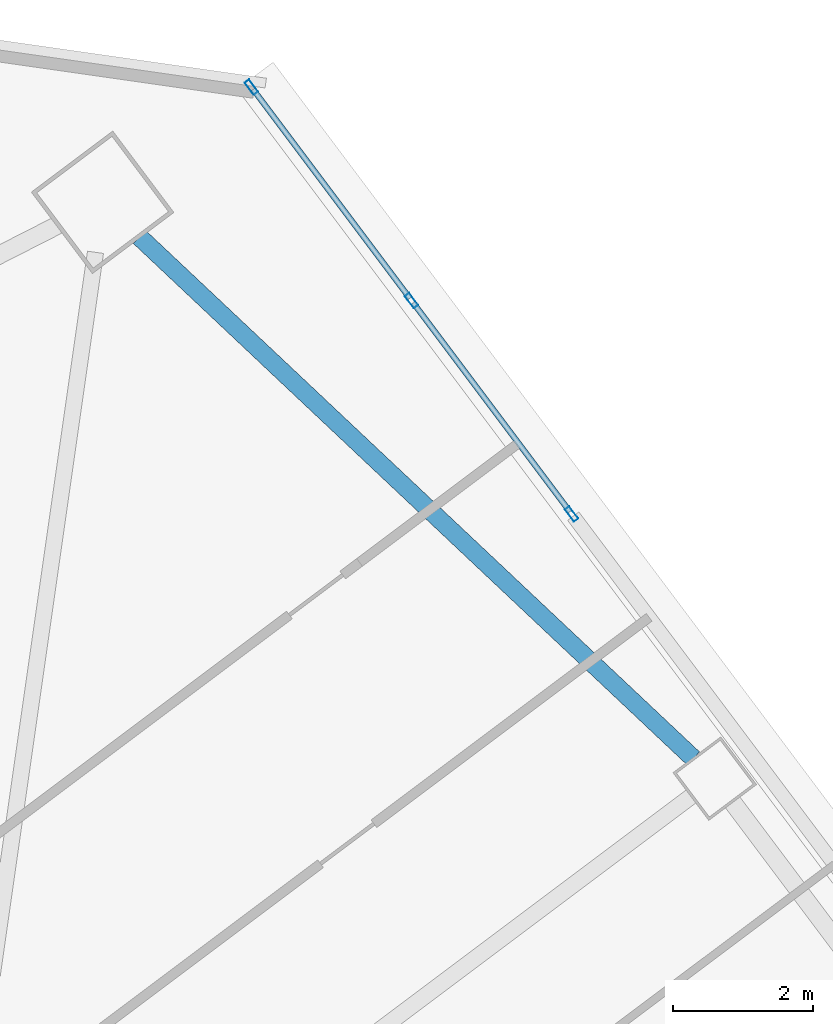
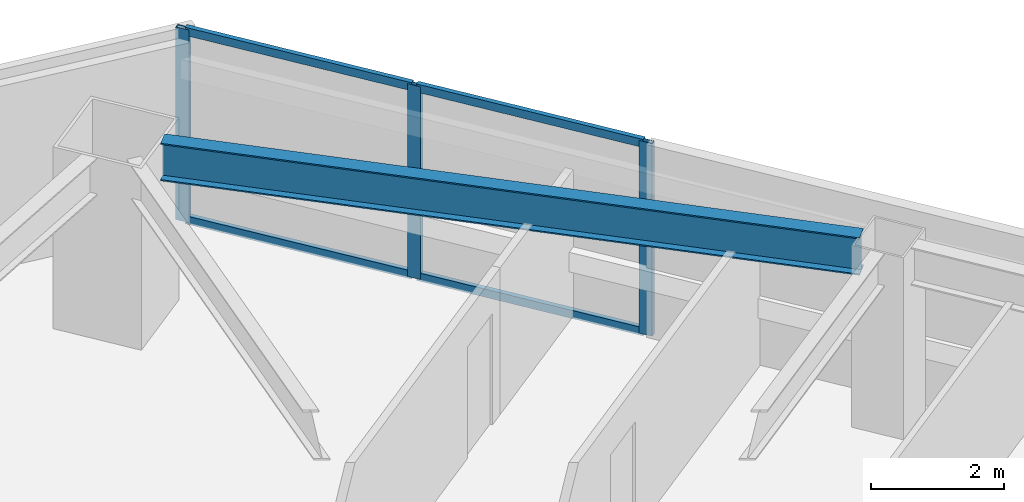
# One storey, part 30 of 44: 7 members, 1 beam, 1 element without a shape of its own.
"""IFC4 building model written with IfcOpenShell, lengths in metres."""

from ifc_helpers import new_model, si_unit, direction, frame, origin, origin_2d, place, context, subcontext, project, spatial, hollow_rectangle, i_section, extrude, material, material_profile, profile_set, type_object, element, aggregate, save


model = new_model("IFC4")

# Units and contexts
model_context = context("Model", 3, precision=1e-05, world=origin(), true_north=direction((0.0, 1.0)))
body_context = subcontext(model_context, "Body", "Model", "MODEL_VIEW")
ifc_project = project(units=[si_unit("LENGTHUNIT", "METRE"), si_unit("AREAUNIT", "SQUARE_METRE"), si_unit("VOLUMEUNIT", "CUBIC_METRE"), si_unit("PLANEANGLEUNIT", "RADIAN"), si_unit("MASSUNIT", "GRAM", prefix="KILO")], contexts=[model_context])

# Site, building, storey
site_placement = place(None, origin())
site = spatial("IfcSite", under=ifc_project, at=site_placement, CompositionType="ELEMENT")
building_placement = place(site_placement, origin())
building = spatial("IfcBuilding", under=site, at=building_placement, Name="Tashvorn Skyway Center", CompositionType="ELEMENT")
storey_placement = place(building_placement, frame((0.0, 0.0, 92.050048828125)))
storey = spatial("IfcBuildingStorey", under=building, at=storey_placement, Name="L24", CompositionType="ELEMENT", Elevation=92.050048828125)

# Beam
ifc_material_1 = material(Name="Steel ASTM A992 Grade 50", Category="steel")
ifc_material_profile_1 = material_profile(ifc_material_1, i_section(OverallWidth=0.256103515625, OverallDepth=0.693115234375, WebThickness=0.014404296875, FlangeThickness=0.023681640625, at=origin_2d()), Name="W27X114")
ifc_profile_set_1 = profile_set([ifc_material_profile_1], Name="Steel ASTM A992 Grade 50")
beam_type = type_object("IfcBeamType", Name="BM-SPANDREL-W27X114", PredefinedType="SPANDREL", material=ifc_profile_set_1)
beam_placement = place(storey_placement, frame((125.854248046875, 48.157958984375, 3.00341796875), z_axis=(-0.728086883893, 0.685484857238, 0.0), x_axis=(-0.685484857238, -0.728086883893, 0.0)))
element("IfcBeam", 1, at=beam_placement, inside=storey, type_object=beam_type, Name="Tower 2 L24 Spandrel Beam 06", PredefinedType="SPANDREL", context=body_context, shape_type="SweptSolid", body=[
    extrude(i_section(OverallWidth=0.256103515625, OverallDepth=0.693115234375, WebThickness=0.014404296875, FlangeThickness=0.023681640625, at=origin_2d()), origin(), (0.0, 0.0, 1.0), 10.8369140625),
])

# Curtain wall, members
ifc_material_2 = material(Name="Thermally broken bronze-anodized aluminium 6063-T6", Category="aluminium")
curtain_wall_type = type_object("IfcCurtainWallType", Name="CW-CW-Z2", PredefinedType="NOTDEFINED", material=ifc_material_2)
curtain_wall_placement = place(storey_placement, origin())
curtain_wall = element("IfcCurtainWall", 2, at=curtain_wall_placement, inside=storey, type_object=curtain_wall_type, Name="Tower 2 L24 East Unitised Curtain Wall Glazing Group 1", PredefinedType="NOTDEFINED")
ifc_material_profile_2 = material_profile(ifc_material_2, hollow_rectangle(XDim=0.080078125, YDim=0.219970703125, WallThickness=0.0048828125, at=origin_2d()), Name="ALU-MULL-80x220")
ifc_profile_set_2 = profile_set([ifc_material_profile_2], Name="Thermally broken bronze-anodized aluminium 6063-T6")
member_type_1 = type_object("IfcMemberType", Name="CWM-CW-Z2", PredefinedType="MULLION", material=ifc_profile_set_2)
member_1_placement = place(storey_placement, frame((119.56005859375, 57.719970703125, 0.0), z_axis=(0.0, 0.0, 1.0), x_axis=(0.799999999998, 0.600000000002, 0.0)))
member_1 = element("IfcMember", 3, at=member_1_placement, type_object=member_type_1, Name="CW-Z2 mullion 1", PredefinedType="MULLION", context=body_context, shape_type="SweptSolid", body=[
    extrude(hollow_rectangle(XDim=0.080078125, YDim=0.219970703125, WallThickness=0.0048828125, at=origin_2d()), origin(), (0.0, 0.0, 1.0), 3.550048828125),
])
member_2_placement = place(storey_placement, frame((121.840087890625, 54.679931640625, 0.0), z_axis=(0.0, 0.0, 1.0), x_axis=(0.799999999998, 0.600000000002, 0.0)))
member_2 = element("IfcMember", 4, at=member_2_placement, type_object=member_type_1, Name="CW-Z2 mullion 2", PredefinedType="MULLION", context=body_context, shape_type="SweptSolid", body=[
    extrude(hollow_rectangle(XDim=0.080078125, YDim=0.219970703125, WallThickness=0.0048828125, at=origin_2d()), origin(), (0.0, 0.0, 1.0), 3.550048828125),
])
member_3_placement = place(storey_placement, frame((124.1201171875, 51.639892578125, 0.0), z_axis=(0.0, 0.0, 1.0), x_axis=(0.799999999998, 0.600000000002, 0.0)))
member_3 = element("IfcMember", 5, at=member_3_placement, type_object=member_type_1, Name="CW-Z2 mullion 3", PredefinedType="MULLION", context=body_context, shape_type="SweptSolid", body=[
    extrude(hollow_rectangle(XDim=0.080078125, YDim=0.219970703125, WallThickness=0.0048828125, at=origin_2d()), origin(), (0.0, 0.0, 1.0), 3.550048828125),
])
ifc_material_profile_3 = material_profile(ifc_material_2, hollow_rectangle(XDim=0.080078125, YDim=0.14990234375, WallThickness=0.00439453125, at=origin_2d()), Name="ALU-TRAN-80x150")
ifc_profile_set_3 = profile_set([ifc_material_profile_3], Name="Thermally broken bronze-anodized aluminium 6063-T6")
member_type_2 = type_object("IfcMemberType", Name="CWT-CW-Z2", PredefinedType="USERDEFINED", material=ifc_profile_set_3)
member_4_placement = place(storey_placement, frame((119.583984375, 57.68798828125, 0.0400390625), z_axis=(0.599978998559, -0.80001575065, 0.0), x_axis=(0.80001575065, 0.599978998559, 0.0)))
member_4 = element("IfcMember", 6, at=member_4_placement, type_object=member_type_2, Name="CW-Z2 transom 1.1", ObjectType="TRANSOM", PredefinedType="USERDEFINED", context=body_context, shape_type="SweptSolid", body=[
    extrude(hollow_rectangle(XDim=0.080078125, YDim=0.14990234375, WallThickness=0.00439453125, at=origin_2d()), origin(), (0.0, 0.0, 1.0), 3.719970703125),
])
member_5_placement = place(storey_placement, frame((119.583984375, 57.68798828125, 3.510009765625), z_axis=(0.599978998559, -0.80001575065, 0.0), x_axis=(0.80001575065, 0.599978998559, 0.0)))
member_5 = element("IfcMember", 7, at=member_5_placement, type_object=member_type_2, Name="CW-Z2 transom 1.2", ObjectType="TRANSOM", PredefinedType="USERDEFINED", context=body_context, shape_type="SweptSolid", body=[
    extrude(hollow_rectangle(XDim=0.080078125, YDim=0.14990234375, WallThickness=0.00439453125, at=origin_2d()), origin(), (0.0, 0.0, 1.0), 3.719970703125),
])
member_6_placement = place(storey_placement, frame((121.864013671875, 54.64794921875, 0.0400390625), z_axis=(0.600010501117, -0.799992124055, 0.0), x_axis=(0.799992124055, 0.600010501117, 0.0)))
member_6 = element("IfcMember", 8, at=member_6_placement, type_object=member_type_2, Name="CW-Z2 transom 2.1", ObjectType="TRANSOM", PredefinedType="USERDEFINED", context=body_context, shape_type="SweptSolid", body=[
    extrude(hollow_rectangle(XDim=0.080078125, YDim=0.14990234375, WallThickness=0.00439453125, at=origin_2d()), origin(), (0.0, 0.0, 1.0), 3.7197265625),
])
member_7_placement = place(storey_placement, frame((121.864013671875, 54.64794921875, 3.510009765625), z_axis=(0.600010501117, -0.799992124055, 0.0), x_axis=(0.799992124055, 0.600010501117, 0.0)))
member_7 = element("IfcMember", 9, at=member_7_placement, type_object=member_type_2, Name="CW-Z2 transom 2.2", ObjectType="TRANSOM", PredefinedType="USERDEFINED", context=body_context, shape_type="SweptSolid", body=[
    extrude(hollow_rectangle(XDim=0.080078125, YDim=0.14990234375, WallThickness=0.00439453125, at=origin_2d()), origin(), (0.0, 0.0, 1.0), 3.7197265625),
])
aggregate(curtain_wall, [member_1, member_2, member_3, member_4, member_5, member_6, member_7])

save(model, "model.ifc")
